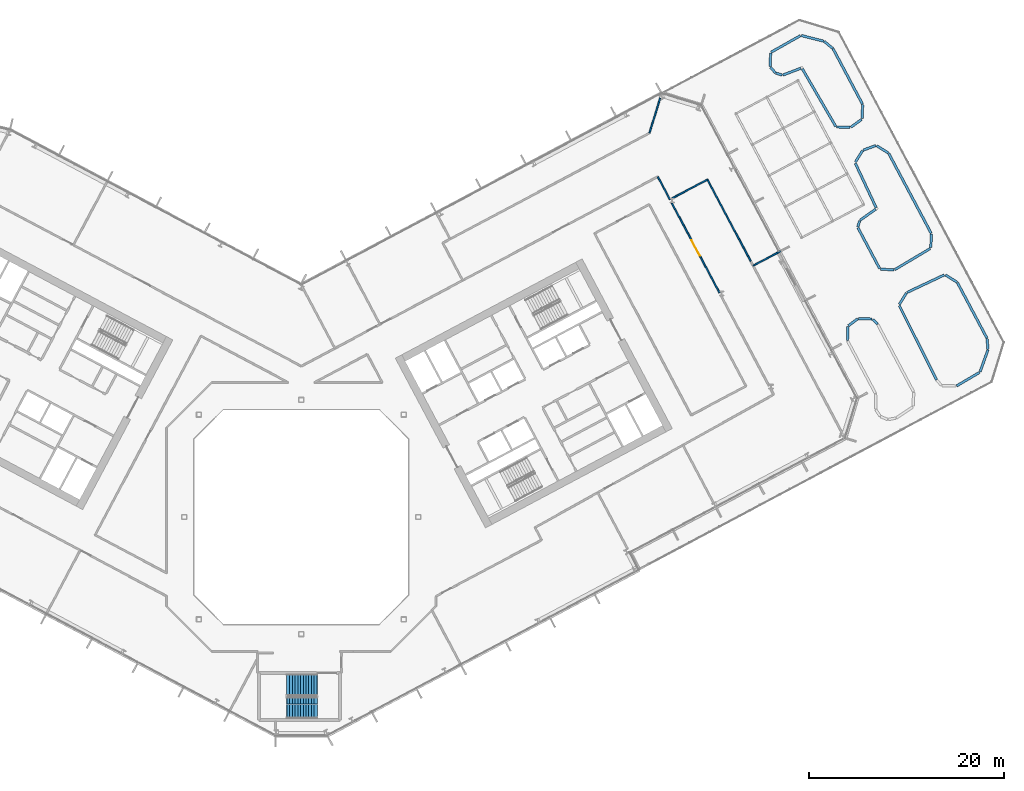
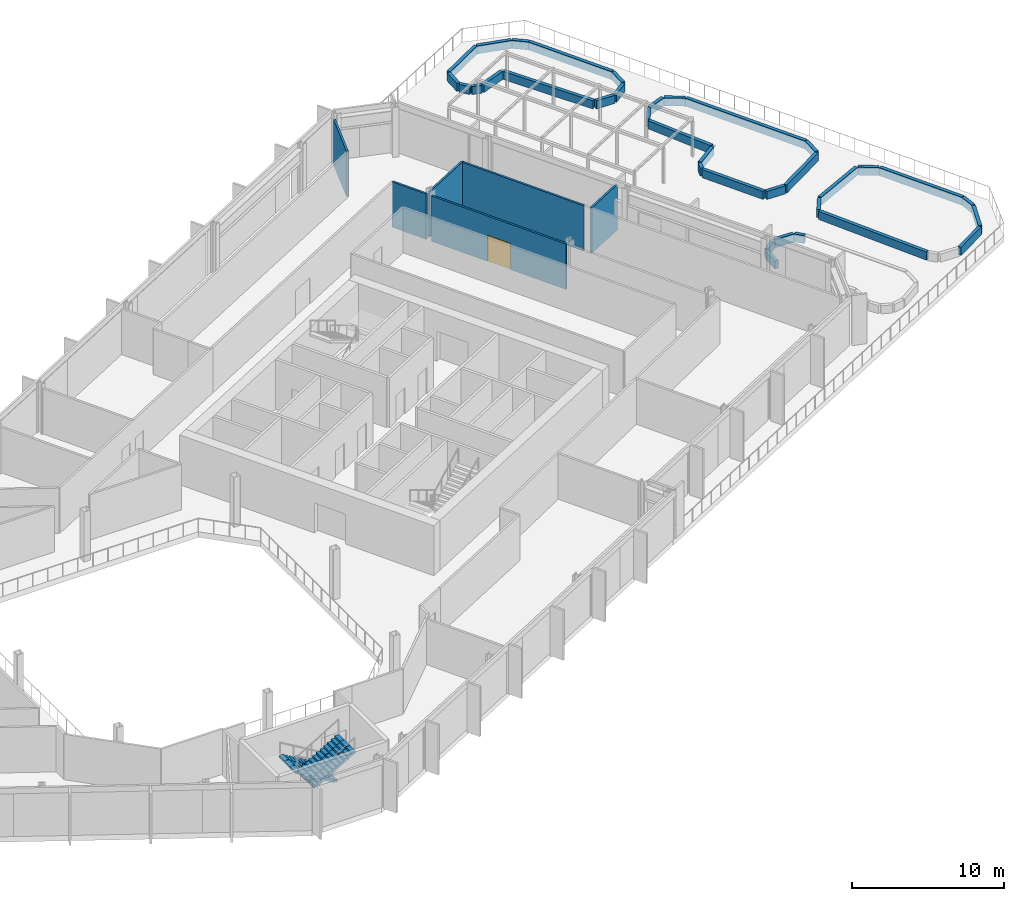
# One storey, part 22 of 34: 41 walls, 2 stair flights, 1 door, 1 opening, 1 element without a shape of its own.
"""IFC4 building model written with IfcOpenShell, lengths in metres."""

from ifc_helpers import new_model, si_unit, direction, frame, frame_2d, origin, place, context, subcontext, project, spatial, polyline, rectangle, outline, extrude, material, layer, layer_set, type_object, element, fill, aggregate, save


model = new_model("IFC4")

# Units and contexts
model_context = context("Model", 3, precision=1e-05, world=origin(), true_north=direction((0.0, 1.0)))
body_context = subcontext(model_context, "Body", "Model", "MODEL_VIEW")
ifc_project = project(units=[si_unit("LENGTHUNIT", "METRE"), si_unit("AREAUNIT", "SQUARE_METRE"), si_unit("VOLUMEUNIT", "CUBIC_METRE"), si_unit("PLANEANGLEUNIT", "RADIAN"), si_unit("MASSUNIT", "GRAM", prefix="KILO")], contexts=[model_context])

# Site, building, storey
site_placement = place(None, origin())
site = spatial("IfcSite", under=ifc_project, at=site_placement, CompositionType="ELEMENT")
building_placement = place(site_placement, origin())
building = spatial("IfcBuilding", under=site, at=building_placement, Name="Cormorant Relay Tower", CompositionType="ELEMENT")
storey_placement = place(building_placement, frame((0.0, 0.0, 118.199951171875)))
storey = spatial("IfcBuildingStorey", under=building, at=storey_placement, Name="L23", CompositionType="ELEMENT", Elevation=118.199951171875)

# Wall
ifc_material_1 = material(Name="Gypsum board fire partition")
ifc_layer_1 = layer(ifc_material_1, 0.14990234375)
ifc_layer_set_1 = layer_set([ifc_layer_1], Name="Corridor partition 150 EI 60")
wall_type_1 = type_object("IfcWallType", Name="Corridor partition 150 EI 60", PredefinedType="PARTITIONING", material=ifc_layer_set_1)
wall_1_placement = place(storey_placement, frame((37.7890625, 32.556884765625, 0.0), z_axis=(0.0, 0.0, 1.0), x_axis=(-0.469557862383, 0.882901701139, 0.0)))
element("IfcWall", 1, at=wall_1_placement, inside=storey, type_object=wall_type_1, Name="wall/L23/part/061", PredefinedType="PARTITIONING", context=body_context, shape_type="SweptSolid", body=[
    extrude(rectangle(XDim=2.64501953125, YDim=0.14990234375, at=frame_2d((1.322509765625, 0.0))), origin(), (0.0, 0.0, 1.0), 3.64013671875),
])

# Wall, opening, door
wall_2_placement = place(storey_placement, frame((37.972900390625, 32.208984375, 0.0), z_axis=(0.0, 0.0, 1.0), x_axis=(0.469526119231, -0.88291858252, 0.0)))
wall_2 = element("IfcWall", 2, at=wall_2_placement, inside=storey, type_object=wall_type_1, Name="wall/L23/part/068", PredefinedType="PARTITIONING", context=body_context, shape_type="SweptSolid", body=[
    extrude(rectangle(XDim=10.442626953125, YDim=0.14990234375, at=frame_2d((5.22119140625, 0.0))), origin(), (0.0, 0.0, 1.0), 3.64013671875),
])
opening_placement = place(wall_2_placement, frame((4.35009765625, 0.0, 0.0)))
opening = element("IfcOpeningElement", 3, at=opening_placement, cuts=wall_2, Name="Opening DD-002", PredefinedType="OPENING", context=body_context, shape_type="SweptSolid", body=[
    extrude(rectangle(XDim=1.800048828125, YDim=2.10009765625, at=frame_2d((0.89990234375, 1.050048828125))), frame((0.0, 0.0849609375, 0.0), z_axis=(0.0, -1.0, 0.0), x_axis=(1.0, 0.0, 0.0)), (0.0, 0.0, 1.0), 0.169921875),
])
ifc_material_2 = material(Name="Timber door leaf", Category="wood")
door_type = type_object("IfcDoorType", Name="Suite double door 1800x2100", OperationType="DOUBLE_DOOR_SINGLE_SWING", PredefinedType="DOOR", material=ifc_material_2)
door_placement = place(opening_placement, origin())
door = element("IfcDoor", 4, at=door_placement, inside=storey, type_object=door_type, Name="door/L23/006", OperationType="DOUBLE_DOOR_SINGLE_SWING", OverallHeight=2.10009765625, OverallWidth=1.800048828125, PredefinedType="DOOR", context=body_context, shape_type="SweptSolid", body=[
    extrude(rectangle(XDim=1.800048828125, YDim=2.10009765625, at=frame_2d((0.89990234375, 1.050048828125))), frame((0.0, 0.02490234375, 0.0), z_axis=(0.0, -1.0, 0.0), x_axis=(1.0, 0.0, 0.0)), (0.0, 0.0, 1.0), 0.050048828125),
])
fill(opening, door)

# Walls
ifc_material_3 = material(Name="Concrete 40 MPa", Category="concrete")
ifc_layer_2 = layer(ifc_material_3, 0.25)
ifc_layer_set_2 = layer_set([ifc_layer_2], Name="Planter kerb 250")
wall_type_2 = type_object("IfcWallType", Name="Planter kerb 250", PredefinedType="STANDARD", material=ifc_layer_set_2)
wall_3_placement = place(storey_placement, frame((55.997314453125, 18.103759765625, 0.0), z_axis=(0.0, 0.0, 1.0), x_axis=(0.034718082661, 0.999397145651, 0.0)))
element("IfcWall", 5, at=wall_3_placement, inside=storey, type_object=wall_type_2, Name="Terrace PLANTER 23-01 kerb", PredefinedType="STANDARD", context=body_context, shape_type="SweptSolid", body=[
    extrude(rectangle(XDim=1.413330078125, YDim=0.25, at=frame_2d((0.70654296875, 0.0))), origin(), (0.0, 0.0, 1.0), 0.650146484375),
])
wall_4_placement = place(storey_placement, frame((56.096435546875, 19.61181640625, 0.0), z_axis=(0.0, 0.0, 1.0), x_axis=(0.8, 0.6, 0.0)))
element("IfcWall", 6, at=wall_4_placement, inside=storey, type_object=wall_type_2, Name="Terrace PLANTER 23-01 kerb", PredefinedType="STANDARD", context=body_context, shape_type="SweptSolid", body=[
    extrude(rectangle(XDim=1.181640625, YDim=0.25, at=frame_2d((0.5908203125, 0.0))), origin(), (0.0, 0.0, 1.0), 0.650146484375),
])
wall_5_placement = place(storey_placement, frame((57.12109375, 20.345947265625, 0.0), z_axis=(0.0, 0.0, 1.0), x_axis=(0.999386485281, -0.035023606875, 0.0)))
element("IfcWall", 7, at=wall_5_placement, inside=storey, type_object=wall_type_2, Name="Terrace PLANTER 23-01 kerb", PredefinedType="STANDARD", context=body_context, shape_type="SweptSolid", body=[
    extrude(rectangle(XDim=1.408203125, YDim=0.25, at=frame_2d((0.7041015625, 0.0))), origin(), (0.0, 0.0, 1.0), 0.650146484375),
])
wall_6_placement = place(storey_placement, frame((58.615478515625, 20.257080078125, 0.0), z_axis=(0.0, 0.0, 1.0), x_axis=(0.681966025159, -0.731383853069, 0.0)))
element("IfcWall", 8, at=wall_6_placement, inside=storey, type_object=wall_type_2, Name="Terrace PLANTER 23-01 kerb", PredefinedType="STANDARD", context=body_context, shape_type="SweptSolid", body=[
    extrude(rectangle(XDim=0.691650390625, YDim=0.25, at=frame_2d((0.345703125, 0.0))), origin(), (0.0, 0.0, 1.0), 0.650146484375),
])
wall_7_placement = place(storey_placement, frame((65.124755859375, 14.052001953125, 0.0), z_axis=(0.0, 0.0, 1.0), x_axis=(-0.447602972281, 0.894232396643, 0.0)))
element("IfcWall", 9, at=wall_7_placement, inside=storey, type_object=wall_type_2, Name="Terrace PLANTER 23-02 kerb", PredefinedType="STANDARD", context=body_context, shape_type="SweptSolid", body=[
    extrude(rectangle(XDim=8.5263671875, YDim=0.25, at=frame_2d((4.26318359375, 0.0))), origin(), (0.0, 0.0, 1.0), 0.650146484375),
])
wall_8_placement = place(storey_placement, frame((61.314208984375, 21.798583984375, 0.0), z_axis=(0.0, 0.0, 1.0), x_axis=(0.529872303396, 0.848077438736, 0.0)))
element("IfcWall", 10, at=wall_8_placement, inside=storey, type_object=wall_type_2, Name="Terrace PLANTER 23-02 kerb", PredefinedType="STANDARD", context=body_context, shape_type="SweptSolid", body=[
    extrude(rectangle(XDim=1.386474609375, YDim=0.25, at=frame_2d((0.693359375, 0.0))), origin(), (0.0, 0.0, 1.0), 0.650146484375),
])
wall_9_placement = place(storey_placement, frame((62.1015625, 23.021240234375, 0.0), z_axis=(0.0, 0.0, 1.0), x_axis=(0.904636481299, 0.426184040883, 0.0)))
element("IfcWall", 11, at=wall_9_placement, inside=storey, type_object=wall_type_2, Name="Terrace PLANTER 23-02 kerb", PredefinedType="STANDARD", context=body_context, shape_type="SweptSolid", body=[
    extrude(rectangle(XDim=4.222412109375, YDim=0.25, at=frame_2d((2.111328125, 0.0))), origin(), (0.0, 0.0, 1.0), 0.650146484375),
])
wall_10_placement = place(storey_placement, frame((66.040771484375, 24.813720703125, 0.0), z_axis=(0.0, 0.0, 1.0), x_axis=(0.848067047543, -0.529888934468, 0.0)))
element("IfcWall", 12, at=wall_10_placement, inside=storey, type_object=wall_type_2, Name="Terrace PLANTER 23-02 kerb", PredefinedType="STANDARD", context=body_context, shape_type="SweptSolid", body=[
    extrude(rectangle(XDim=1.396484375, YDim=0.25, at=frame_2d((0.6982421875, 0.0))), origin(), (0.0, 0.0, 1.0), 0.650146484375),
])
wall_11_placement = place(storey_placement, frame((67.269287109375, 24.0263671875, 0.0), z_axis=(0.0, 0.0, 1.0), x_axis=(0.46946736098, -0.882949826986, 0.0)))
element("IfcWall", 13, at=wall_11_placement, inside=storey, type_object=wall_type_2, Name="Terrace PLANTER 23-02 kerb", PredefinedType="STANDARD", context=body_context, shape_type="SweptSolid", body=[
    extrude(rectangle(XDim=6.423583984375, YDim=0.25, at=frame_2d((3.2119140625, 0.0))), origin(), (0.0, 0.0, 1.0), 0.650146484375),
])
wall_12_placement = place(storey_placement, frame((70.299072265625, 18.30810546875, 0.0), z_axis=(0.0, 0.0, 1.0), x_axis=(0.095787243218, -0.995401830437, 0.0)))
element("IfcWall", 14, at=wall_12_placement, inside=storey, type_object=wall_type_2, Name="Terrace PLANTER 23-02 kerb", PredefinedType="STANDARD", context=body_context, shape_type="SweptSolid", body=[
    extrude(rectangle(XDim=1.118896484375, YDim=0.25, at=frame_2d((0.5595703125, 0.0))), origin(), (0.0, 0.0, 1.0), 0.650146484375),
])
wall_13_placement = place(storey_placement, frame((70.3994140625, 17.14013671875, 0.0), z_axis=(0.0, 0.0, 1.0), x_axis=(-0.337887940208, -0.941186347044, 0.0)))
element("IfcWall", 15, at=wall_13_placement, inside=storey, type_object=wall_type_2, Name="Terrace PLANTER 23-02 kerb", PredefinedType="STANDARD", context=body_context, shape_type="SweptSolid", body=[
    extrude(rectangle(XDim=2.3916015625, YDim=0.25, at=frame_2d((1.19580078125, 0.0))), origin(), (0.0, 0.0, 1.0), 0.650146484375),
])
wall_14_placement = place(storey_placement, frame((69.536865234375, 14.823486328125, 0.0), z_axis=(0.0, 0.0, 1.0), x_axis=(-0.862319469343, -0.506364624349, 0.0)))
element("IfcWall", 16, at=wall_14_placement, inside=storey, type_object=wall_type_2, Name="Terrace PLANTER 23-02 kerb", PredefinedType="STANDARD", context=body_context, shape_type="SweptSolid", body=[
    extrude(rectangle(XDim=2.71875, YDim=0.25, at=frame_2d((1.359375, 0.0))), origin(), (0.0, 0.0, 1.0), 0.650146484375),
])
wall_15_placement = place(storey_placement, frame((58.93359375, 31.71875, 0.0), z_axis=(0.0, 0.0, 1.0), x_axis=(-0.42461059624, 0.905376077418, 0.0)))
element("IfcWall", 17, at=wall_15_placement, inside=storey, type_object=wall_type_2, Name="Terrace PLANTER 23-03 kerb", PredefinedType="STANDARD", context=body_context, shape_type="SweptSolid", body=[
    extrude(rectangle(XDim=5.02587890625, YDim=0.25, at=frame_2d((2.512939453125, 0.0))), origin(), (0.0, 0.0, 1.0), 0.650146484375),
])
wall_16_placement = place(storey_placement, frame((56.806884765625, 36.38818359375, 0.0), z_axis=(0.0, 0.0, 1.0), x_axis=(0.529807860638, 0.848117698675, 0.0)))
element("IfcWall", 18, at=wall_16_placement, inside=storey, type_object=wall_type_2, Name="Terrace PLANTER 23-03 kerb", PredefinedType="STANDARD", context=body_context, shape_type="SweptSolid", body=[
    extrude(rectangle(XDim=1.378173828125, YDim=0.25, at=frame_2d((0.68896484375, 0.0))), origin(), (0.0, 0.0, 1.0), 0.650146484375),
])
wall_17_placement = place(storey_placement, frame((57.60009765625, 37.608154296875, 0.0), z_axis=(0.0, 0.0, 1.0), x_axis=(0.938783490773, 0.344507703036, 0.0)))
element("IfcWall", 19, at=wall_17_placement, inside=storey, type_object=wall_type_2, Name="Terrace PLANTER 23-03 kerb", PredefinedType="STANDARD", context=body_context, shape_type="SweptSolid", body=[
    extrude(rectangle(XDim=1.360595703125, YDim=0.25, at=frame_2d((0.68017578125, 0.0))), origin(), (0.0, 0.0, 1.0), 0.650146484375),
])
wall_18_placement = place(storey_placement, frame((58.98681640625, 38.0654296875, 0.0), z_axis=(0.0, 0.0, 1.0), x_axis=(0.84803719359, -0.529936711587, 0.0)))
element("IfcWall", 20, at=wall_18_placement, inside=storey, type_object=wall_type_2, Name="Terrace PLANTER 23-03 kerb", PredefinedType="STANDARD", context=body_context, shape_type="SweptSolid", body=[
    extrude(rectangle(XDim=1.41064453125, YDim=0.25, at=frame_2d((0.705322265625, 0.0))), origin(), (0.0, 0.0, 1.0), 0.650146484375),
])
wall_19_placement = place(storey_placement, frame((60.227294921875, 37.2705078125, 0.0), z_axis=(0.0, 0.0, 1.0), x_axis=(0.469469205428, -0.882948846284, 0.0)))
element("IfcWall", 21, at=wall_19_placement, inside=storey, type_object=wall_type_2, Name="Terrace PLANTER 23-03 kerb", PredefinedType="STANDARD", context=body_context, shape_type="SweptSolid", body=[
    extrude(rectangle(XDim=9.26611328125, YDim=0.25, at=frame_2d((4.633056640625, 0.0))), origin(), (0.0, 0.0, 1.0), 0.650146484375),
])
wall_20_placement = place(storey_placement, frame((64.591796875, 29.026123046875, 0.0), z_axis=(0.0, 0.0, 1.0), x_axis=(-0.034787397643, -0.99939473531, 0.0)))
element("IfcWall", 22, at=wall_20_placement, inside=storey, type_object=wall_type_2, Name="Terrace PLANTER 23-03 kerb", PredefinedType="STANDARD", context=body_context, shape_type="SweptSolid", body=[
    extrude(rectangle(XDim=1.396484375, YDim=0.25, at=frame_2d((0.6982421875, 0.0))), origin(), (0.0, 0.0, 1.0), 0.650146484375),
])
wall_21_placement = place(storey_placement, frame((64.482177734375, 27.52734375, 0.0), z_axis=(0.0, 0.0, 1.0), x_axis=(-0.859197270032, -0.511644457773, 0.0)))
element("IfcWall", 23, at=wall_21_placement, inside=storey, type_object=wall_type_2, Name="Terrace PLANTER 23-03 kerb", PredefinedType="STANDARD", context=body_context, shape_type="SweptSolid", body=[
    extrude(rectangle(XDim=4.222412109375, YDim=0.25, at=frame_2d((2.111328125, 0.0))), origin(), (0.0, 0.0, 1.0), 0.650146484375),
])
wall_22_placement = place(storey_placement, frame((60.785888671875, 25.349609375, 0.0), z_axis=(0.0, 0.0, 1.0), x_axis=(-0.999394405501, 0.034796871312, 0.0)))
element("IfcWall", 24, at=wall_22_placement, inside=storey, type_object=wall_type_2, Name="Terrace PLANTER 23-03 kerb", PredefinedType="STANDARD", context=body_context, shape_type="SweptSolid", body=[
    extrude(rectangle(XDim=1.382080078125, YDim=0.25, at=frame_2d((0.69091796875, 0.0))), origin(), (0.0, 0.0, 1.0), 0.650146484375),
])
wall_23_placement = place(storey_placement, frame((59.298583984375, 25.464111328125, 0.0), z_axis=(0.0, 0.0, 1.0), x_axis=(-0.469473233273, 0.882946704643, 0.0)))
element("IfcWall", 25, at=wall_23_placement, inside=storey, type_object=wall_type_2, Name="Terrace PLANTER 23-03 kerb", PredefinedType="STANDARD", context=body_context, shape_type="SweptSolid", body=[
    extrude(rectangle(XDim=4.751953125, YDim=0.25, at=frame_2d((2.3759765625, 0.0))), origin(), (0.0, 0.0, 1.0), 0.650146484375),
])
wall_24_placement = place(storey_placement, frame((57.058349609375, 29.755126953125, 0.0), z_axis=(0.0, 0.0, 1.0), x_axis=(0.29252899244, 0.956256654137, 0.0)))
element("IfcWall", 26, at=wall_24_placement, inside=storey, type_object=wall_type_2, Name="Terrace PLANTER 23-03 kerb", PredefinedType="STANDARD", context=body_context, shape_type="SweptSolid", body=[
    extrude(rectangle(XDim=0.639404296875, YDim=0.25, at=frame_2d((0.31982421875, 0.0))), origin(), (0.0, 0.0, 1.0), 0.650146484375),
])
wall_25_placement = place(storey_placement, frame((57.292724609375, 30.431884765625, 0.0), z_axis=(0.0, 0.0, 1.0), x_axis=(0.816442850547, 0.577426247923, 0.0)))
element("IfcWall", 27, at=wall_25_placement, inside=storey, type_object=wall_type_2, Name="Terrace PLANTER 23-03 kerb", PredefinedType="STANDARD", context=body_context, shape_type="SweptSolid", body=[
    extrude(rectangle(XDim=1.960205078125, YDim=0.25, at=frame_2d((0.97998046875, 0.0))), origin(), (0.0, 0.0, 1.0), 0.650146484375),
])
wall_26_placement = place(storey_placement, frame((51.212646484375, 46.007568359375, 0.0), z_axis=(0.0, 0.0, 1.0), x_axis=(-0.935280685465, -0.353906823043, 0.0)))
element("IfcWall", 28, at=wall_26_placement, inside=storey, type_object=wall_type_2, Name="Terrace PLANTER 23-04 kerb", PredefinedType="STANDARD", context=body_context, shape_type="SweptSolid", body=[
    extrude(rectangle(XDim=1.9599609375, YDim=0.25, at=frame_2d((0.97998046875, 0.0))), origin(), (0.0, 0.0, 1.0), 0.650146484375),
])
wall_27_placement = place(storey_placement, frame((49.298828125, 45.311279296875, 0.0), z_axis=(0.0, 0.0, 1.0), x_axis=(-0.956272563484, 0.292476980853, 0.0)))
element("IfcWall", 29, at=wall_27_placement, inside=storey, type_object=wall_type_2, Name="Terrace PLANTER 23-04 kerb", PredefinedType="STANDARD", context=body_context, shape_type="SweptSolid", body=[
    extrude(rectangle(XDim=0.671875, YDim=0.25, at=frame_2d((0.3359375, 0.0))), origin(), (0.0, 0.0, 1.0), 0.650146484375),
])
wall_28_placement = place(storey_placement, frame((48.59912109375, 45.544921875, 0.0), z_axis=(0.0, 0.0, 1.0), x_axis=(-0.661407670295, 0.750026595312, 0.0)))
element("IfcWall", 30, at=wall_28_placement, inside=storey, type_object=wall_type_2, Name="Terrace PLANTER 23-04 kerb", PredefinedType="STANDARD", context=body_context, shape_type="SweptSolid", body=[
    extrude(rectangle(XDim=0.7548828125, YDim=0.25, at=frame_2d((0.37744140625, 0.0))), origin(), (0.0, 0.0, 1.0), 0.650146484375),
])
wall_29_placement = place(storey_placement, frame((48.068603515625, 46.197998046875, 0.0), z_axis=(0.0, 0.0, 1.0), x_axis=(0.034993817224, 0.999387528818, 0.0)))
element("IfcWall", 31, at=wall_29_placement, inside=storey, type_object=wall_type_2, Name="Terrace PLANTER 23-04 kerb", PredefinedType="STANDARD", context=body_context, shape_type="SweptSolid", body=[
    extrude(rectangle(XDim=1.3603515625, YDim=0.25, at=frame_2d((0.68017578125, 0.0))), origin(), (0.0, 0.0, 1.0), 0.650146484375),
])
wall_30_placement = place(storey_placement, frame((48.1796875, 47.662109375, 0.0), z_axis=(0.0, 0.0, 1.0), x_axis=(0.870846846941, 0.491554441718, 0.0)))
element("IfcWall", 32, at=wall_30_placement, inside=storey, type_object=wall_type_2, Name="Terrace PLANTER 23-04 kerb", PredefinedType="STANDARD", context=body_context, shape_type="SweptSolid", body=[
    extrude(rectangle(XDim=3.4404296875, YDim=0.25, at=frame_2d((1.72021484375, 0.0))), origin(), (0.0, 0.0, 1.0), 0.650146484375),
])
wall_31_placement = place(storey_placement, frame((51.26806640625, 49.365478515625, 0.0), z_axis=(0.0, 0.0, 1.0), x_axis=(0.969243577433, -0.246103408356, 0.0)))
element("IfcWall", 33, at=wall_31_placement, inside=storey, type_object=wall_type_2, Name="Terrace PLANTER 23-04 kerb", PredefinedType="STANDARD", context=body_context, shape_type="SweptSolid", body=[
    extrude(rectangle(XDim=2.3818359375, YDim=0.25, at=frame_2d((1.19091796875, 0.0))), origin(), (0.0, 0.0, 1.0), 0.650146484375),
])
wall_32_placement = place(storey_placement, frame((53.62548828125, 48.75439453125, 0.0), z_axis=(0.0, 0.0, 1.0), x_axis=(0.771608888309, -0.636097259452, 0.0)))
element("IfcWall", 34, at=wall_32_placement, inside=storey, type_object=wall_type_2, Name="Terrace PLANTER 23-04 kerb", PredefinedType="STANDARD", context=body_context, shape_type="SweptSolid", body=[
    extrude(rectangle(XDim=1.118896484375, YDim=0.25, at=frame_2d((0.5595703125, 0.0))), origin(), (0.0, 0.0, 1.0), 0.650146484375),
])
wall_33_placement = place(storey_placement, frame((54.519775390625, 48.0048828125, 0.0), z_axis=(0.0, 0.0, 1.0), x_axis=(0.469483116113, -0.882941449749, 0.0)))
element("IfcWall", 35, at=wall_33_placement, inside=storey, type_object=wall_type_2, Name="Terrace PLANTER 23-04 kerb", PredefinedType="STANDARD", context=body_context, shape_type="SweptSolid", body=[
    extrude(rectangle(XDim=6.42333984375, YDim=0.25, at=frame_2d((3.211669921875, 0.0))), origin(), (0.0, 0.0, 1.0), 0.650146484375),
])
wall_34_placement = place(storey_placement, frame((57.5498046875, 42.2705078125, 0.0), z_axis=(0.0, 0.0, 1.0), x_axis=(-0.034956976841, -0.999388818113, 0.0)))
element("IfcWall", 36, at=wall_34_placement, inside=storey, type_object=wall_type_2, Name="Terrace PLANTER 23-04 kerb", PredefinedType="STANDARD", context=body_context, shape_type="SweptSolid", body=[
    extrude(rectangle(XDim=1.410888671875, YDim=0.25, at=frame_2d((0.70556640625, 0.0))), origin(), (0.0, 0.0, 1.0), 0.650146484375),
])
wall_35_placement = place(storey_placement, frame((57.448974609375, 40.763671875, 0.0), z_axis=(0.0, 0.0, 1.0), x_axis=(-0.810447336139, -0.585811501548, 0.0)))
element("IfcWall", 37, at=wall_35_placement, inside=storey, type_object=wall_type_2, Name="Terrace PLANTER 23-04 kerb", PredefinedType="STANDARD", context=body_context, shape_type="SweptSolid", body=[
    extrude(rectangle(XDim=1.360595703125, YDim=0.25, at=frame_2d((0.68017578125, 0.0))), origin(), (0.0, 0.0, 1.0), 0.650146484375),
])
wall_36_placement = place(storey_placement, frame((56.2685546875, 39.943115234375, 0.0), z_axis=(0.0, 0.0, 1.0), x_axis=(-0.999395204548, 0.034773914449, 0.0)))
element("IfcWall", 38, at=wall_36_placement, inside=storey, type_object=wall_type_2, Name="Terrace PLANTER 23-04 kerb", PredefinedType="STANDARD", context=body_context, shape_type="SweptSolid", body=[
    extrude(rectangle(XDim=1.3759765625, YDim=0.25, at=frame_2d((0.68798828125, 0.0))), origin(), (0.0, 0.0, 1.0), 0.650146484375),
])
wall_37_placement = place(storey_placement, frame((54.78955078125, 40.05322265625, 0.0), z_axis=(0.0, 0.0, 1.0), x_axis=(-0.501974066589, 0.864882672084, 0.0)))
element("IfcWall", 39, at=wall_37_placement, inside=storey, type_object=wall_type_2, Name="Terrace PLANTER 23-04 kerb", PredefinedType="STANDARD", context=body_context, shape_type="SweptSolid", body=[
    extrude(rectangle(XDim=6.822265625, YDim=0.25, at=frame_2d((3.4111328125, 0.0))), origin(), (0.0, 0.0, 1.0), 0.650146484375),
])
ifc_material_4 = material(Name="Gypsum board partition")
ifc_layer_3 = layer(ifc_material_4, 0.14990234375)
ifc_layer_set_3 = layer_set([ifc_layer_3], Name="Tenant partition 150")
wall_type_3 = type_object("IfcWallType", Name="Tenant partition 150", PredefinedType="PARTITIONING", material=ifc_layer_set_3)
wall_38_placement = place(storey_placement, frame((35.697021484375, 39.366943359375, 0.0), z_axis=(0.0, 0.0, 1.0), x_axis=(0.292517637823, 0.956260127561, 0.0)))
element("IfcWall", 40, at=wall_38_placement, inside=storey, type_object=wall_type_3, Name="wall/L23/part/056", PredefinedType="PARTITIONING", context=body_context, shape_type="SweptSolid", body=[
    extrude(rectangle(XDim=3.753173828125, YDim=0.14990234375, at=frame_2d((1.87646484375, 0.0))), origin(), (0.0, 0.0, 1.0), 3.64013671875),
])
wall_39_placement = place(storey_placement, frame((46.0810546875, 26.22607421875, 0.0), z_axis=(0.0, 0.0, 1.0), x_axis=(-0.469444635522, 0.882961909812, 0.0)))
element("IfcWall", 41, at=wall_39_placement, inside=storey, type_object=wall_type_3, Name="wall/L23/part/066", PredefinedType="PARTITIONING", context=body_context, shape_type="SweptSolid", body=[
    extrude(rectangle(XDim=9.47705078125, YDim=0.14990234375, at=frame_2d((4.738525390625, 0.0))), origin(), (0.0, 0.0, 1.0), 3.64013671875),
])
wall_40_placement = place(storey_placement, frame((41.632080078125, 34.593994140625, 0.0), z_axis=(0.0, 0.0, 1.0), x_axis=(-0.88295491585, -0.469457789984, 0.0)))
element("IfcWall", 42, at=wall_40_placement, inside=storey, type_object=wall_type_3, Name="wall/L23/part/067", PredefinedType="PARTITIONING", context=body_context, shape_type="SweptSolid", body=[
    extrude(rectangle(XDim=4.0703125, YDim=0.14990234375, at=frame_2d((2.03515625, 0.0))), origin(), (0.0, 0.0, 1.0), 3.64013671875),
])
wall_41_placement = place(storey_placement, frame((49.152099609375, 27.26806640625, 0.0), z_axis=(0.0, 0.0, 1.0), x_axis=(-0.882819217955, -0.469712921271, 0.0)))
element("IfcWall", 43, at=wall_41_placement, inside=storey, type_object=wall_type_3, Name="wall/L23/part/073", PredefinedType="PARTITIONING", context=body_context, shape_type="SweptSolid", body=[
    extrude(rectangle(XDim=3.2001953125, YDim=0.14990234375, at=frame_2d((1.60009765625, 0.0))), origin(), (0.0, 0.0, 1.0), 3.64013671875),
])

# Stair, stair flights
ifc_material_5 = material(Name="Concrete 40 MPa", Category="concrete")
stair_type = type_object("IfcStairType", Name="Remote exit stair 2200", PredefinedType="HALF_TURN_STAIR", material=ifc_material_5)
stair_placement = place(storey_placement, origin())
stair = element("IfcStair", 44, at=stair_placement, inside=storey, type_object=stair_type, Name="L23 Stair", PredefinedType="HALF_TURN_STAIR")
ifc_material_6 = material(Name="Concrete 40 MPa", Category="concrete")
stair_flight_type = type_object("IfcStairFlightType", Name="Remote exit stair flight 2200", PredefinedType="STRAIGHT", material=ifc_material_6)
stair_flight_1_placement = place(storey_placement, frame((1.60009765625, -17.22509765625, 0.0), z_axis=(0.0, 0.0, 1.0), x_axis=(-1.0, 0.0, 0.0)))
stair_flight_1 = element("IfcStairFlight", 45, at=stair_flight_1_placement, type_object=stair_flight_type, Name="RK1 flight 1", NumberOfRisers=12, NumberOfTreads=11, PredefinedType="STRAIGHT", RiserHeight=0.166666667, TreadLength=0.28, context=body_context, shape_type="SweptSolid", body=[
    extrude(outline(polyline([(-0.050048828125, -0.080078125), (-0.050048828125, 0.0), (0.0, 0.0), (0.0, 0.166748046875), (0.280029296875, 0.166748046875), (0.280029296875, 0.333251953125), (0.56005859375, 0.333251953125), (0.56005859375, 0.5), (0.840087890625, 0.5), (0.840087890625, 0.666748046875), (1.1201171875, 0.666748046875), (1.1201171875, 0.833251953125), (1.39990234375, 0.833251953125), (1.39990234375, 1.0), (1.679931640625, 1.0), (1.679931640625, 1.166748046875), (1.9599609375, 1.166748046875), (1.9599609375, 1.333251953125), (2.239990234375, 1.333251953125), (2.239990234375, 1.5), (2.52001953125, 1.5), (2.52001953125, 1.666748046875), (2.800048828125, 1.666748046875), (2.800048828125, 1.833251953125), (3.080078125, 1.833251953125), (3.130126953125, 1.833251953125), (3.130126953125, 1.658935546875), (3.080078125, 1.658935546875), (0.29296875, 0.0), (-0.050048828125, -0.080078125)])), frame((0.0, 1.10009765625, 0.0), z_axis=(0.0, -1.0, 0.0), x_axis=(1.0, 0.0, 0.0)), (0.0, 0.0, 1.0), 0.719970703125),
    extrude(outline(polyline([(-0.050048828125, -0.080078125), (-0.050048828125, 0.0), (0.0, 0.0), (0.0, 0.166748046875), (0.280029296875, 0.166748046875), (0.280029296875, 0.333251953125), (0.56005859375, 0.333251953125), (0.56005859375, 0.5), (0.840087890625, 0.5), (0.840087890625, 0.666748046875), (1.1201171875, 0.666748046875), (1.1201171875, 0.833251953125), (1.39990234375, 0.833251953125), (1.39990234375, 1.0), (1.679931640625, 1.0), (1.679931640625, 1.166748046875), (1.9599609375, 1.166748046875), (1.9599609375, 1.333251953125), (2.239990234375, 1.333251953125), (2.239990234375, 1.5), (2.52001953125, 1.5), (2.52001953125, 1.666748046875), (2.800048828125, 1.666748046875), (2.800048828125, 1.833251953125), (3.080078125, 1.833251953125), (3.130126953125, 1.833251953125), (3.130126953125, 1.658935546875), (3.080078125, 1.658935546875), (0.29296875, 0.0), (-0.050048828125, -0.080078125)])), frame((0.0, 0.360107421875, 0.0), z_axis=(0.0, -1.0, 0.0), x_axis=(1.0, 0.0, 0.0)), (0.0, 0.0, 1.0), 0.719970703125),
    extrude(outline(polyline([(-0.050048828125, -0.080078125), (-0.050048828125, 0.0), (0.0, 0.0), (0.0, 0.166748046875), (0.280029296875, 0.166748046875), (0.280029296875, 0.333251953125), (0.56005859375, 0.333251953125), (0.56005859375, 0.5), (0.840087890625, 0.5), (0.840087890625, 0.666748046875), (1.1201171875, 0.666748046875), (1.1201171875, 0.833251953125), (1.39990234375, 0.833251953125), (1.39990234375, 1.0), (1.679931640625, 1.0), (1.679931640625, 1.166748046875), (1.9599609375, 1.166748046875), (1.9599609375, 1.333251953125), (2.239990234375, 1.333251953125), (2.239990234375, 1.5), (2.52001953125, 1.5), (2.52001953125, 1.666748046875), (2.800048828125, 1.666748046875), (2.800048828125, 1.833251953125), (3.080078125, 1.833251953125), (3.130126953125, 1.833251953125), (3.130126953125, 1.658935546875), (3.080078125, 1.658935546875), (0.29296875, 0.0), (-0.050048828125, -0.080078125)])), frame((0.0, -0.3798828125, 0.0), z_axis=(0.0, -1.0, 0.0), x_axis=(1.0, 0.0, 0.0)), (0.0, 0.0, 1.0), 0.719970703125),
])
stair_flight_2_placement = place(storey_placement, frame((-1.47998046875, -19.574951171875, 2.0), z_axis=(0.0, 0.0, 1.0), x_axis=(1.0, 0.0, 0.0)))
stair_flight_2 = element("IfcStairFlight", 46, at=stair_flight_2_placement, type_object=stair_flight_type, Name="RK1 flight 2", NumberOfRisers=12, NumberOfTreads=11, PredefinedType="STRAIGHT", RiserHeight=0.166666667, TreadLength=0.28, context=body_context, shape_type="SweptSolid", body=[
    extrude(outline(polyline([(-0.050048828125, -0.080078125), (-0.050048828125, 0.0), (0.0, 0.0), (0.0, 0.166748046875), (0.280029296875, 0.166748046875), (0.280029296875, 0.333251953125), (0.56005859375, 0.333251953125), (0.56005859375, 0.5), (0.840087890625, 0.5), (0.840087890625, 0.666748046875), (1.1201171875, 0.666748046875), (1.1201171875, 0.833251953125), (1.39990234375, 0.833251953125), (1.39990234375, 1.0), (1.679931640625, 1.0), (1.679931640625, 1.166748046875), (1.9599609375, 1.166748046875), (1.9599609375, 1.333251953125), (2.239990234375, 1.333251953125), (2.239990234375, 1.5), (2.52001953125, 1.5), (2.52001953125, 1.666748046875), (2.800048828125, 1.666748046875), (2.800048828125, 1.833251953125), (3.080078125, 1.833251953125), (3.130126953125, 1.833251953125), (3.130126953125, 1.658935546875), (3.080078125, 1.658935546875), (0.29296875, 0.0), (-0.050048828125, -0.080078125)])), frame((0.0, 1.10009765625, 0.0), z_axis=(0.0, -1.0, 0.0), x_axis=(1.0, 0.0, 0.0)), (0.0, 0.0, 1.0), 0.719970703125),
    extrude(outline(polyline([(-0.050048828125, -0.080078125), (-0.050048828125, 0.0), (0.0, 0.0), (0.0, 0.166748046875), (0.280029296875, 0.166748046875), (0.280029296875, 0.333251953125), (0.56005859375, 0.333251953125), (0.56005859375, 0.5), (0.840087890625, 0.5), (0.840087890625, 0.666748046875), (1.1201171875, 0.666748046875), (1.1201171875, 0.833251953125), (1.39990234375, 0.833251953125), (1.39990234375, 1.0), (1.679931640625, 1.0), (1.679931640625, 1.166748046875), (1.9599609375, 1.166748046875), (1.9599609375, 1.333251953125), (2.239990234375, 1.333251953125), (2.239990234375, 1.5), (2.52001953125, 1.5), (2.52001953125, 1.666748046875), (2.800048828125, 1.666748046875), (2.800048828125, 1.833251953125), (3.080078125, 1.833251953125), (3.130126953125, 1.833251953125), (3.130126953125, 1.658935546875), (3.080078125, 1.658935546875), (0.29296875, 0.0), (-0.050048828125, -0.080078125)])), frame((0.0, 0.360107421875, 0.0), z_axis=(0.0, -1.0, 0.0), x_axis=(1.0, 0.0, 0.0)), (0.0, 0.0, 1.0), 0.719970703125),
    extrude(outline(polyline([(-0.050048828125, -0.080078125), (-0.050048828125, 0.0), (0.0, 0.0), (0.0, 0.166748046875), (0.280029296875, 0.166748046875), (0.280029296875, 0.333251953125), (0.56005859375, 0.333251953125), (0.56005859375, 0.5), (0.840087890625, 0.5), (0.840087890625, 0.666748046875), (1.1201171875, 0.666748046875), (1.1201171875, 0.833251953125), (1.39990234375, 0.833251953125), (1.39990234375, 1.0), (1.679931640625, 1.0), (1.679931640625, 1.166748046875), (1.9599609375, 1.166748046875), (1.9599609375, 1.333251953125), (2.239990234375, 1.333251953125), (2.239990234375, 1.5), (2.52001953125, 1.5), (2.52001953125, 1.666748046875), (2.800048828125, 1.666748046875), (2.800048828125, 1.833251953125), (3.080078125, 1.833251953125), (3.130126953125, 1.833251953125), (3.130126953125, 1.658935546875), (3.080078125, 1.658935546875), (0.29296875, 0.0), (-0.050048828125, -0.080078125)])), frame((0.0, -0.3798828125, 0.0), z_axis=(0.0, -1.0, 0.0), x_axis=(1.0, 0.0, 0.0)), (0.0, 0.0, 1.0), 0.719970703125),
])
aggregate(stair, [stair_flight_1, stair_flight_2])

save(model, "model.ifc")
